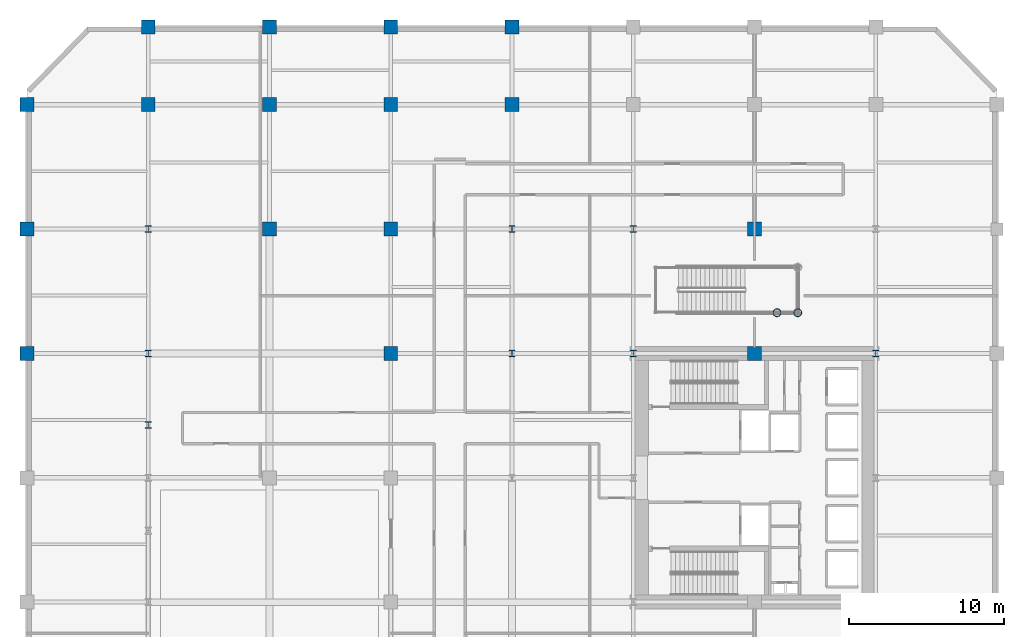
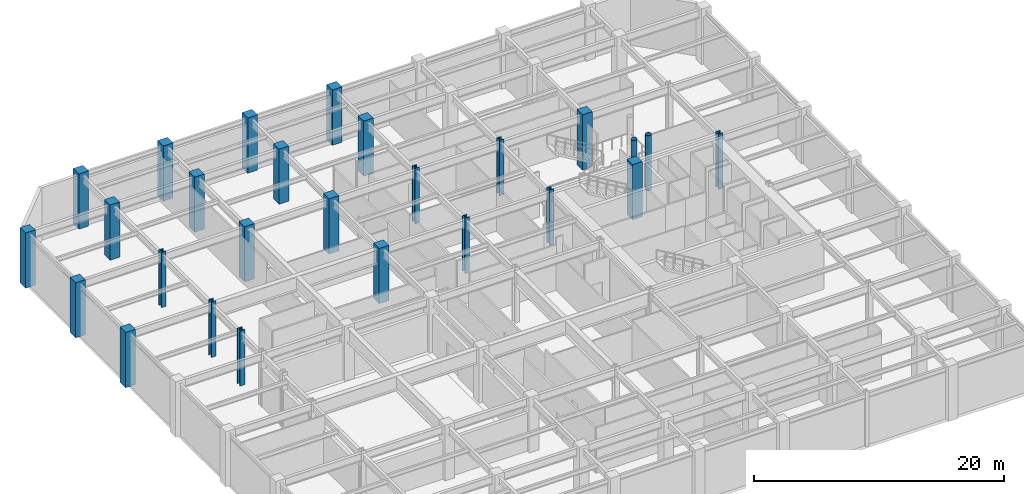
# One storey, part 3 of 11: 26 columns.
"""IFC4 building model written with IfcOpenShell, lengths in metres."""

from ifc_helpers import new_model, si_unit, direction, frame, origin, origin_2d, place, context, subcontext, project, spatial, rectangle, hollow_circle, i_section, extrude, material, material_profile, profile_set, type_object, element, save


model = new_model("IFC4")

# Units and contexts
model_context = context("Model", 3, precision=1e-05, world=origin(), true_north=direction((0.0, 1.0)))
body_context = subcontext(model_context, "Body", "Model", "MODEL_VIEW")
ifc_project = project(units=[si_unit("LENGTHUNIT", "METRE"), si_unit("AREAUNIT", "SQUARE_METRE"), si_unit("VOLUMEUNIT", "CUBIC_METRE"), si_unit("PLANEANGLEUNIT", "RADIAN"), si_unit("MASSUNIT", "GRAM", prefix="KILO")], contexts=[model_context])

# Site, building, storey
site_placement = place(None, origin())
site = spatial("IfcSite", under=ifc_project, at=site_placement, CompositionType="ELEMENT")
building_placement = place(site_placement, origin())
building = spatial("IfcBuilding", under=site, at=building_placement, Name="Veymaron Broadcast Tower", CompositionType="ELEMENT")
storey_placement = place(building_placement, frame((0.0, 0.0, 16.199951171875)))
storey = spatial("IfcBuildingStorey", under=building, at=storey_placement, Name="L03", CompositionType="ELEMENT", Elevation=16.199951171875)

# Columns
ifc_material_1 = material(Name="Structural steel ASTM A913 Gr 65", Category="steel")
ifc_material_profile_1 = material_profile(ifc_material_1, i_section(OverallWidth=0.424072265625, OverallDepth=0.47412109375, WebThickness=0.047607421875, FlangeThickness=0.076904296875, at=origin_2d()), Name="W360X634")
ifc_profile_set_1 = profile_set([ifc_material_profile_1], Name="Structural steel ASTM A913 Gr 65")
column_type_1 = type_object("IfcColumnType", Name="COL-MC1", PredefinedType="COLUMN", material=ifc_profile_set_1)
column_placement = place(storey_placement, frame((7.800048828125, 27.39990234375, 0.0), z_axis=(0.0, 0.0, 1.0), x_axis=(1.0, 0.0, 0.0)))
element("IfcColumn", 1, at=column_placement, inside=storey, type_object=column_type_1, Name="L03 Mega Column podium base", PredefinedType="COLUMN", context=body_context, shape_type="SweptSolid", body=[
    extrude(i_section(OverallWidth=0.424072265625, OverallDepth=0.47412109375, WebThickness=0.047607421875, FlangeThickness=0.076904296875, at=origin_2d()), origin(), (0.0, 0.0, 1.0), 5.39404296875),
])
ifc_material_profile_2 = material_profile(ifc_material_1, i_section(OverallWidth=0.41796875, OverallDepth=0.455078125, WebThickness=0.0419921875, FlangeThickness=0.067626953125, at=origin_2d()), Name="W360X551")
ifc_profile_set_2 = profile_set([ifc_material_profile_2], Name="Structural steel ASTM A913 Gr 65")
column_type_2 = type_object("IfcColumnType", Name="COL-MC2", PredefinedType="COLUMN", material=ifc_profile_set_2)
for number, where, z_axis, x_axis, name in (
    (2, (7.800048828125, 32.0, 0.0), (0.0, 0.0, 1.0), (1.0, 0.0, 0.0), "L03 column (7.8, 32.0)"),
    (3, (7.800048828125, 40.0, 0.0), (0.0, 0.0, 1.0), (1.0, 0.0, 0.0), "L03 column (7.8, 40.0)"),
    (4, (31.199951171875, 32.0, 0.0), (0.0, 0.0, 1.0), (1.0, 0.0, 0.0), "L03 column (31.2, 32.0)"),
    (5, (31.199951171875, 40.0, 0.0), (0.0, 0.0, 1.0), (1.0, 0.0, 0.0), "L03 column (31.2, 40.0)"),
    (6, (39.0, 32.0, 0.0), (0.0, 0.0, 1.0), (1.0, 0.0, 0.0), "L03 column (39.0, 32.0)"),
    (7, (39.0, 40.0, 0.0), (0.0, 0.0, 1.0), (1.0, 0.0, 0.0), "L03 column (39.0, 40.0)"),
    (8, (54.60009765625, 32.0, 0.0), (0.0, 0.0, 1.0), (1.0, 0.0, 0.0), "L03 column (54.6, 32.0)"),
):
    element("IfcColumn", number, at=place(storey_placement, frame(where, z_axis=z_axis, x_axis=x_axis)), inside=storey, type_object=column_type_2, Name=name, PredefinedType="COLUMN", context=body_context, shape_type="SweptSolid", body=[
        extrude(i_section(OverallWidth=0.41796875, OverallDepth=0.455078125, WebThickness=0.0419921875, FlangeThickness=0.067626953125, at=origin_2d()), origin(), (0.0, 0.0, 1.0), 5.39501953125),
    ])
ifc_material_2 = material(Name="Structural steel ASTM A992 Gr 50", Category="steel")
ifc_material_profile_3 = material_profile(ifc_material_2, hollow_circle(Radius=0.25390625, WallThickness=0.02001953125, at=origin_2d()), Name="CHS508X20")
ifc_profile_set_3 = profile_set([ifc_material_profile_3], Name="Structural steel ASTM A992 Gr 50")
column_type_3 = type_object("IfcColumnType", Name="COL-PL2", PredefinedType="COLUMN", material=ifc_profile_set_3)
for number, where, z_axis, x_axis, name in (
    (9, (48.25, 34.6201171875, 0.0), (0.0, 0.0, 1.0), (1.0, 0.0, 0.0), "L03 feature stair support column"),
    (10, (49.580078125, 34.6201171875, 0.0), (0.0, 0.0, 1.0), (1.0, 0.0, 0.0), "L03 feature stair support column"),
):
    element("IfcColumn", number, at=place(storey_placement, frame(where, z_axis=z_axis, x_axis=x_axis)), inside=storey, type_object=column_type_3, Name=name, PredefinedType="COLUMN", context=body_context, shape_type="SweptSolid", body=[
        extrude(hollow_circle(Radius=0.25390625, WallThickness=0.02001953125, at=origin_2d()), origin(), (0.0, 0.0, 1.0), 5.39404296875),
    ])
ifc_material_3 = material(Name="Concrete C50/60", Category="concrete")
ifc_material_profile_4 = material_profile(ifc_material_3, rectangle(XDim=0.89990234375, YDim=0.89990234375, at=origin_2d()), Name="RC900X900")
ifc_profile_set_4 = profile_set([ifc_material_profile_4], Name="Concrete C50/60")
column_type_4 = type_object("IfcColumnType", Name="COL-RC4", PredefinedType="COLUMN", material=ifc_profile_set_4)
for number, where, z_axis, x_axis, name in (
    (11, (0.0, 32.0, 0.0), (0.0, 0.0, 1.0), (1.0, 0.0, 0.0), "L03 column (0.0, 32.0)"),
    (12, (0.0, 40.0, 0.0), (0.0, 0.0, 1.0), (1.0, 0.0, 0.0), "L03 column (0.0, 40.0)"),
    (13, (0.0, 48.0, 0.0), (0.0, 0.0, 1.0), (1.0, 0.0, 0.0), "L03 column (0.0, 48.0)"),
    (14, (7.800048828125, 48.0, 0.0), (0.0, 0.0, 1.0), (1.0, 0.0, 0.0), "L03 column (7.8, 48.0)"),
    (15, (7.800048828125, 53.0, 0.0), (0.0, 0.0, 1.0), (1.0, 0.0, 0.0), "L03 column (7.8, 53.0)"),
    (16, (15.60009765625, 40.0, 0.0), (0.0, 0.0, 1.0), (1.0, 0.0, 0.0), "L03 column (15.6, 40.0)"),
    (17, (15.60009765625, 48.0, 0.0), (0.0, 0.0, 1.0), (1.0, 0.0, 0.0), "L03 column (15.6, 48.0)"),
    (18, (15.60009765625, 53.0, 0.0), (0.0, 0.0, 1.0), (1.0, 0.0, 0.0), "L03 column (15.6, 53.0)"),
    (19, (23.39990234375, 32.0, 0.0), (0.0, 0.0, 1.0), (1.0, 0.0, 0.0), "L03 column (23.4, 32.0)"),
    (20, (23.39990234375, 40.0, 0.0), (0.0, 0.0, 1.0), (1.0, 0.0, 0.0), "L03 column (23.4, 40.0)"),
    (21, (23.39990234375, 48.0, 0.0), (0.0, 0.0, 1.0), (1.0, 0.0, 0.0), "L03 column (23.4, 48.0)"),
    (22, (23.39990234375, 53.0, 0.0), (0.0, 0.0, 1.0), (1.0, 0.0, 0.0), "L03 column (23.4, 53.0)"),
    (23, (31.199951171875, 48.0, 0.0), (0.0, 0.0, 1.0), (1.0, 0.0, 0.0), "L03 column (31.2, 48.0)"),
    (24, (31.199951171875, 53.0, 0.0), (0.0, 0.0, 1.0), (1.0, 0.0, 0.0), "L03 column (31.2, 53.0)"),
    (25, (46.800048828125, 32.0, 0.0), (0.0, 0.0, 1.0), (1.0, 0.0, 0.0), "L03 column (46.8, 32.0)"),
    (26, (46.800048828125, 40.0, 0.0), (0.0, 0.0, 1.0), (1.0, 0.0, 0.0), "L03 column (46.8, 40.0)"),
):
    element("IfcColumn", number, at=place(storey_placement, frame(where, z_axis=z_axis, x_axis=x_axis)), inside=storey, type_object=column_type_4, Name=name, PredefinedType="COLUMN", context=body_context, shape_type="SweptSolid", body=[
        extrude(rectangle(XDim=0.89990234375, YDim=0.89990234375, at=origin_2d()), origin(), (0.0, 0.0, 1.0), 5.39501953125),
    ])

save(model, "model.ifc")
